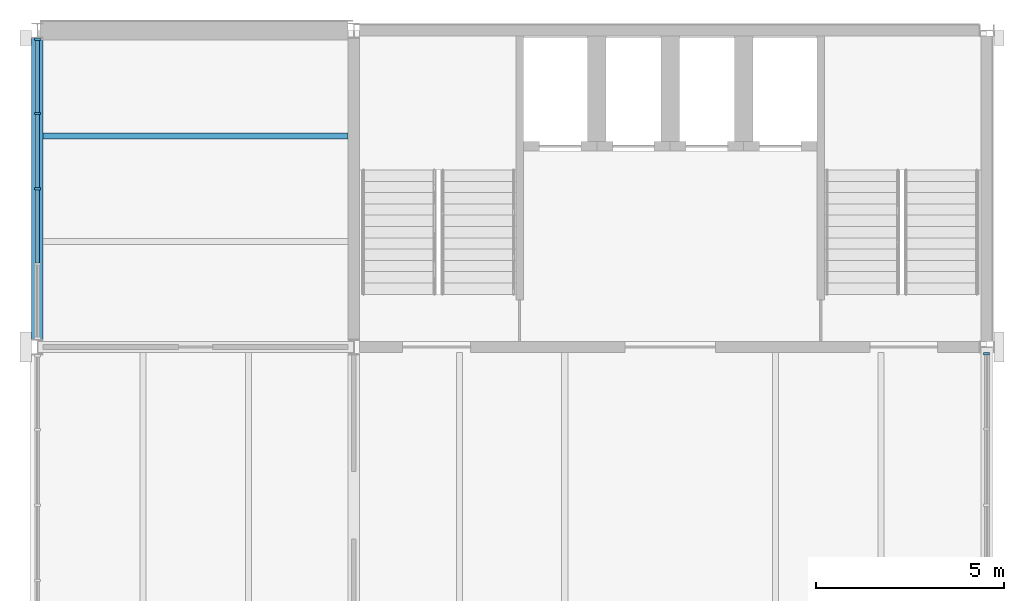
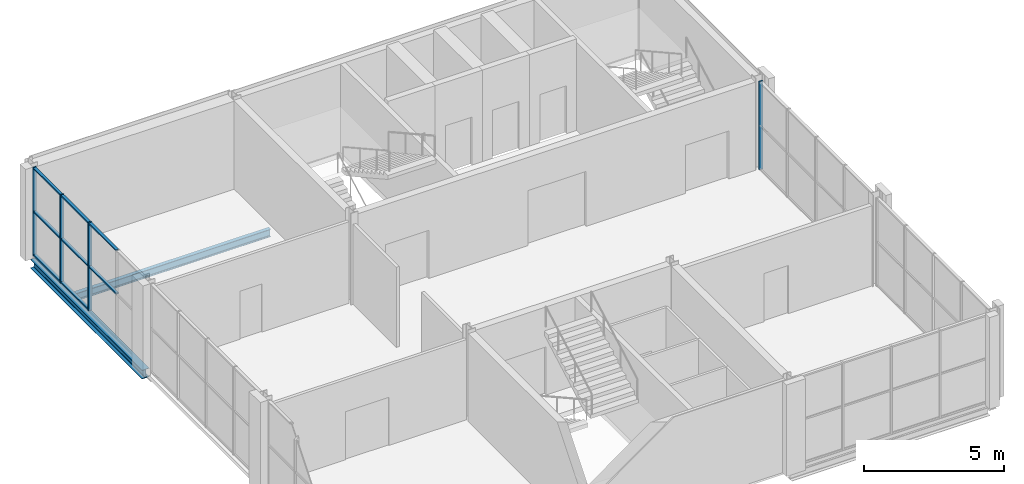
# One storey, part 4 of 8: 12 members, 2 beams, 2 elements without a shape of their own.
"""IFC4 building model written with IfcOpenShell, lengths in metres."""

from ifc_helpers import new_model, si_unit, direction, frame, origin, origin_2d, place, context, subcontext, project, spatial, rectangle, i_section, extrude, material, layer, layer_set, material_profile, profile_set, type_object, element, aggregate, save


model = new_model("IFC4")

# Units and contexts
model_context = context("Model", 3, precision=1e-05, world=origin(), true_north=direction((0.0, 1.0)))
body_context = subcontext(model_context, "Body", "Model", "MODEL_VIEW")
ifc_project = project(units=[si_unit("LENGTHUNIT", "METRE"), si_unit("AREAUNIT", "SQUARE_METRE"), si_unit("VOLUMEUNIT", "CUBIC_METRE"), si_unit("PLANEANGLEUNIT", "RADIAN"), si_unit("MASSUNIT", "GRAM", prefix="KILO")], contexts=[model_context])

# Site, building, storey
site_placement = place(None, origin())
site = spatial("IfcSite", under=ifc_project, at=site_placement, CompositionType="ELEMENT")
building_placement = place(site_placement, origin())
building = spatial("IfcBuilding", under=site, at=building_placement, Name="Galleria Vessillo Department Store", CompositionType="ELEMENT")
storey_placement = place(building_placement, frame((0.0, 0.0, 51.60009765625)))
storey = spatial("IfcBuildingStorey", under=building, at=storey_placement, Name="L11", CompositionType="ELEMENT", Elevation=51.60009765625)

# Curtain wall, members
ifc_material_1 = material(Name="Aluminium and glass curtain wall", Category="aluminium")
ifc_layer = layer(ifc_material_1, 0.159912109375)
ifc_layer_set = layer_set([ifc_layer], Name="Aluminium and glass curtain wall")
curtain_wall_type = type_object("IfcCurtainWallType", Name="Tower curtain wall CW4 2100 module", PredefinedType="NOTDEFINED", material=ifc_layer_set)
curtain_wall_1_placement = place(storey_placement, origin())
curtain_wall_1 = element("IfcCurtainWall", 1, at=curtain_wall_1_placement, inside=storey, type_object=curtain_wall_type, Name="Tower curtain wall CW4 2100 module TW-L11-03", PredefinedType="NOTDEFINED")
ifc_material_2 = material(Name="Aluminium alloy 6063 T6", Category="aluminium")
ifc_material_profile_1 = material_profile(ifc_material_2, rectangle(XDim=0.159912109375, YDim=0.06005859375, at=origin_2d()), Name="AL 60x160")
ifc_profile_set_1 = profile_set([ifc_material_profile_1], Name="Aluminium alloy 6063 T6")
member_type_1 = type_object("IfcMemberType", Name="Aluminium mullion 60 x 160", PredefinedType="MULLION", material=ifc_profile_set_1)
member_1_placement = place(storey_placement, frame((92.39990234375, 58.800048828125, 0.0), z_axis=(0.0, 0.0, 1.0), x_axis=(-1.0, 0.0, 0.0)))
member_1 = element("IfcMember", 2, at=member_1_placement, type_object=member_type_1, Name="CW4 mullion 3", PredefinedType="MULLION", context=body_context, shape_type="SweptSolid", body=[
    extrude(rectangle(XDim=0.159912109375, YDim=0.06005859375, at=origin_2d()), origin(), (0.0, 0.0, 1.0), 3.85009765625),
])
member_2_placement = place(storey_placement, frame((92.39990234375, 60.800048828125, 0.0), z_axis=(0.0, 0.0, 1.0), x_axis=(-1.0, 0.0, 0.0)))
member_2 = element("IfcMember", 3, at=member_2_placement, type_object=member_type_1, Name="CW4 mullion 4", PredefinedType="MULLION", context=body_context, shape_type="SweptSolid", body=[
    extrude(rectangle(XDim=0.159912109375, YDim=0.06005859375, at=origin_2d()), origin(), (0.0, 0.0, 1.0), 3.85009765625),
])
member_3_placement = place(storey_placement, frame((92.39990234375, 62.77001953125, 0.0), z_axis=(0.0, 0.0, 1.0), x_axis=(-1.0, 0.0, 0.0)))
member_3 = element("IfcMember", 4, at=member_3_placement, type_object=member_type_1, Name="CW4 mullion 5", PredefinedType="MULLION", context=body_context, shape_type="SweptSolid", body=[
    extrude(rectangle(XDim=0.159912109375, YDim=0.06005859375, at=origin_2d()), origin(), (0.0, 0.0, 1.0), 3.85009765625),
])

# Curtain wall, member
curtain_wall_2_placement = place(storey_placement, origin())
curtain_wall_2 = element("IfcCurtainWall", 5, at=curtain_wall_2_placement, inside=storey, type_object=curtain_wall_type, Name="Tower curtain wall CW4 2100 module TE-L11-02", PredefinedType="NOTDEFINED")
member_4_placement = place(storey_placement, frame((117.60009765625, 54.420166015625, 0.0), z_axis=(0.0, 0.0, 1.0), x_axis=(-1.0, 0.0, 0.0)))
member_4 = element("IfcMember", 6, at=member_4_placement, type_object=member_type_1, Name="CW4 mullion 5", PredefinedType="MULLION", context=body_context, shape_type="SweptSolid", body=[
    extrude(rectangle(XDim=0.159912109375, YDim=0.06005859375, at=origin_2d()), origin(), (0.0, 0.0, 1.0), 3.85009765625),
])
aggregate(curtain_wall_2, [member_4])

# Member
ifc_material_3 = material(Name="Aluminium alloy 6063 T6", Category="aluminium")
ifc_material_profile_2 = material_profile(ifc_material_3, rectangle(XDim=0.1201171875, YDim=0.06005859375, at=origin_2d()), Name="AL 60x120")
ifc_profile_set_2 = profile_set([ifc_material_profile_2], Name="Aluminium alloy 6063 T6")
member_type_2 = type_object("IfcMemberType", Name="Aluminium transom 60 x 120", PredefinedType="USERDEFINED", material=ifc_profile_set_2)
member_5_placement = place(storey_placement, frame((92.39990234375, 56.830078125, 1.925048828125), z_axis=(0.0, 1.0, 0.0), x_axis=(-1.0, 0.0, 0.0)))
member_5 = element("IfcMember", 7, at=member_5_placement, type_object=member_type_2, Name="CW4 transom 2.2", ObjectType="TRANSOM", PredefinedType="USERDEFINED", context=body_context, shape_type="SweptSolid", body=[
    extrude(rectangle(XDim=0.1201171875, YDim=0.06005859375, at=origin_2d()), origin(), (0.0, 0.0, 1.0), 1.93994140625),
])

member_6_placement = place(storey_placement, frame((92.39990234375, 56.830078125, 3.820068359375), z_axis=(0.0, 1.0, 0.0), x_axis=(-1.0, 0.0, 0.0)))
member_6 = element("IfcMember", 8, at=member_6_placement, type_object=member_type_2, Name="CW4 transom 2.3", ObjectType="TRANSOM", PredefinedType="USERDEFINED", context=body_context, shape_type="SweptSolid", body=[
    extrude(rectangle(XDim=0.1201171875, YDim=0.06005859375, at=origin_2d()), origin(), (0.0, 0.0, 1.0), 1.93994140625),
])

member_7_placement = place(storey_placement, frame((92.39990234375, 58.830078125, 0.030029296875), z_axis=(0.0, 1.0, 0.0), x_axis=(-1.0, 0.0, 0.0)))
member_7 = element("IfcMember", 9, at=member_7_placement, type_object=member_type_2, Name="CW4 transom 3.1", ObjectType="TRANSOM", PredefinedType="USERDEFINED", context=body_context, shape_type="SweptSolid", body=[
    extrude(rectangle(XDim=0.1201171875, YDim=0.06005859375, at=origin_2d()), origin(), (0.0, 0.0, 1.0), 1.93994140625),
])

member_8_placement = place(storey_placement, frame((92.39990234375, 58.830078125, 1.925048828125), z_axis=(0.0, 1.0, 0.0), x_axis=(-1.0, 0.0, 0.0)))
member_8 = element("IfcMember", 10, at=member_8_placement, type_object=member_type_2, Name="CW4 transom 3.2", ObjectType="TRANSOM", PredefinedType="USERDEFINED", context=body_context, shape_type="SweptSolid", body=[
    extrude(rectangle(XDim=0.1201171875, YDim=0.06005859375, at=origin_2d()), origin(), (0.0, 0.0, 1.0), 1.93994140625),
])

member_9_placement = place(storey_placement, frame((92.39990234375, 58.830078125, 3.820068359375), z_axis=(0.0, 1.0, 0.0), x_axis=(-1.0, 0.0, 0.0)))
member_9 = element("IfcMember", 11, at=member_9_placement, type_object=member_type_2, Name="CW4 transom 3.3", ObjectType="TRANSOM", PredefinedType="USERDEFINED", context=body_context, shape_type="SweptSolid", body=[
    extrude(rectangle(XDim=0.1201171875, YDim=0.06005859375, at=origin_2d()), origin(), (0.0, 0.0, 1.0), 1.93994140625),
])

member_10_placement = place(storey_placement, frame((92.39990234375, 60.830078125, 0.030029296875), z_axis=(0.0, 1.0, 0.0), x_axis=(-1.0, 0.0, 0.0)))
member_10 = element("IfcMember", 12, at=member_10_placement, type_object=member_type_2, Name="CW4 transom 4.1", ObjectType="TRANSOM", PredefinedType="USERDEFINED", context=body_context, shape_type="SweptSolid", body=[
    extrude(rectangle(XDim=0.1201171875, YDim=0.06005859375, at=origin_2d()), origin(), (0.0, 0.0, 1.0), 1.909912109375),
])

member_11_placement = place(storey_placement, frame((92.39990234375, 60.830078125, 1.925048828125), z_axis=(0.0, 1.0, 0.0), x_axis=(-1.0, 0.0, 0.0)))
member_11 = element("IfcMember", 13, at=member_11_placement, type_object=member_type_2, Name="CW4 transom 4.2", ObjectType="TRANSOM", PredefinedType="USERDEFINED", context=body_context, shape_type="SweptSolid", body=[
    extrude(rectangle(XDim=0.1201171875, YDim=0.06005859375, at=origin_2d()), origin(), (0.0, 0.0, 1.0), 1.909912109375),
])

member_12_placement = place(storey_placement, frame((92.39990234375, 60.830078125, 3.820068359375), z_axis=(0.0, 1.0, 0.0), x_axis=(-1.0, 0.0, 0.0)))
member_12 = element("IfcMember", 14, at=member_12_placement, type_object=member_type_2, Name="CW4 transom 4.3", ObjectType="TRANSOM", PredefinedType="USERDEFINED", context=body_context, shape_type="SweptSolid", body=[
    extrude(rectangle(XDim=0.1201171875, YDim=0.06005859375, at=origin_2d()), origin(), (0.0, 0.0, 1.0), 1.909912109375),
])

aggregate(curtain_wall_1, [member_1, member_2, member_3, member_5, member_6, member_7, member_8, member_9, member_10, member_11, member_12])

# Beams
ifc_material_4 = material(Name="Steel S355 J2", Category="steel")
ifc_material_profile_3 = material_profile(ifc_material_4, i_section(OverallWidth=0.159912109375, OverallDepth=0.330078125, WebThickness=0.007568359375, FlangeThickness=0.011474609375, FilletRadius=0.01806640625, at=origin_2d()), Name="IPE 330")
ifc_profile_set_3 = profile_set([ifc_material_profile_3], Name="Steel S355 J2")
beam_type_1 = type_object("IfcBeamType", Name="Floor joist IPE 330", PredefinedType="JOIST", material=ifc_profile_set_3)
beam_1_placement = place(storey_placement, frame((92.550048828125, 60.199951171875, -0.31494140625), z_axis=(1.0, 0.0, 0.0), x_axis=(0.0, 1.0, 0.0)))
element("IfcBeam", 15, at=beam_1_placement, inside=storey, type_object=beam_type_1, Name="S-BM-L11-JO-x60200-92550", PredefinedType="JOIST", context=body_context, shape_type="SweptSolid", body=[
    extrude(i_section(OverallWidth=0.159912109375, OverallDepth=0.330078125, WebThickness=0.007568359375, FlangeThickness=0.011474609375, FilletRadius=0.01806640625, at=origin_2d()), origin(), (0.0, 0.0, 1.0), 8.099853515625),
])
ifc_material_5 = material(Name="Steel S355 J2", Category="steel")
ifc_material_profile_4 = material_profile(ifc_material_5, i_section(OverallWidth=0.300048828125, OverallDepth=0.389892578125, WebThickness=0.010986328125, FlangeThickness=0.01904296875, FilletRadius=0.027099609375, at=origin_2d()), Name="HEA 400")
ifc_profile_set_4 = profile_set([ifc_material_profile_4], Name="Steel S355 J2")
beam_type_2 = type_object("IfcBeamType", Name="Trimmer beam HEA 400", PredefinedType="BEAM", material=ifc_profile_set_4)
beam_2_placement = place(storey_placement, frame((92.39990234375, 54.800048828125, -0.344970703125), z_axis=(0.0, 1.0, 0.0), x_axis=(-1.0, 0.0, 0.0)))
element("IfcBeam", 16, at=beam_2_placement, inside=storey, type_object=beam_type_2, Name="S-BM-L11-TR-y92400-54800", PredefinedType="BEAM", context=body_context, shape_type="SweptSolid", body=[
    extrude(i_section(OverallWidth=0.300048828125, OverallDepth=0.389892578125, WebThickness=0.010986328125, FlangeThickness=0.01904296875, FilletRadius=0.027099609375, at=origin_2d()), origin(), (0.0, 0.0, 1.0), 7.999755859375),
])

save(model, "model.ifc")
